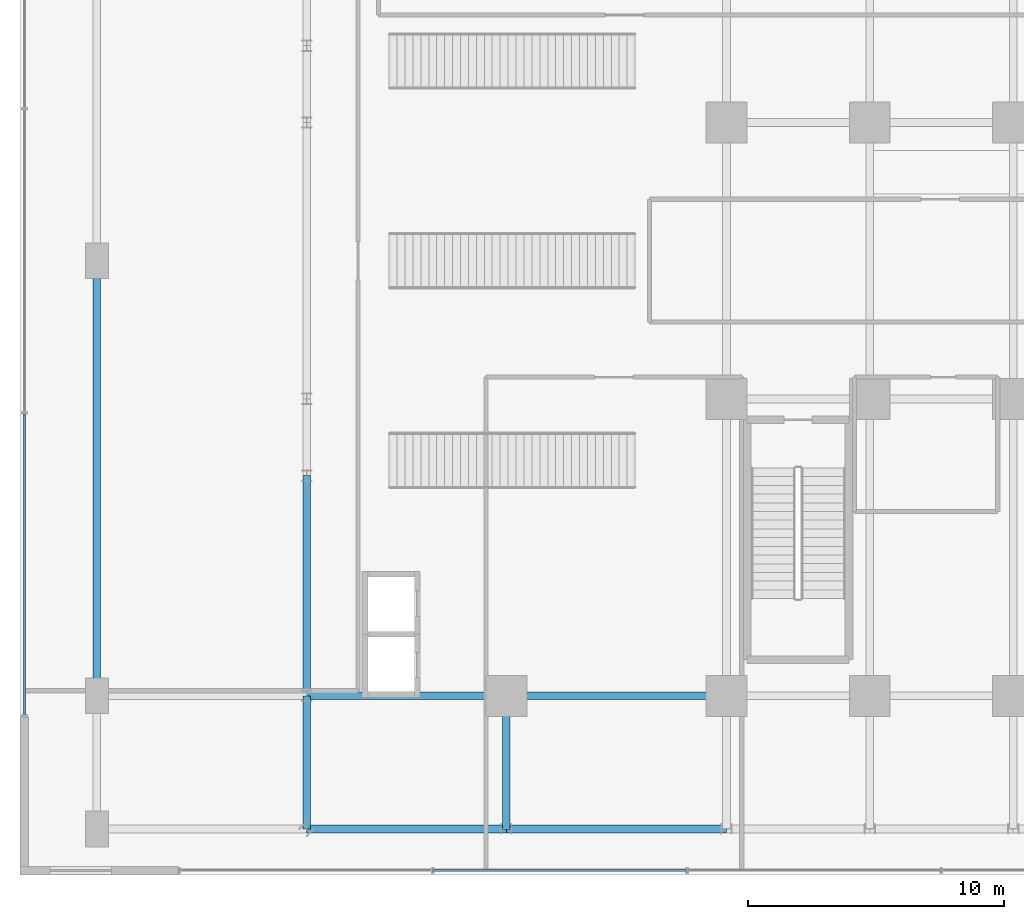
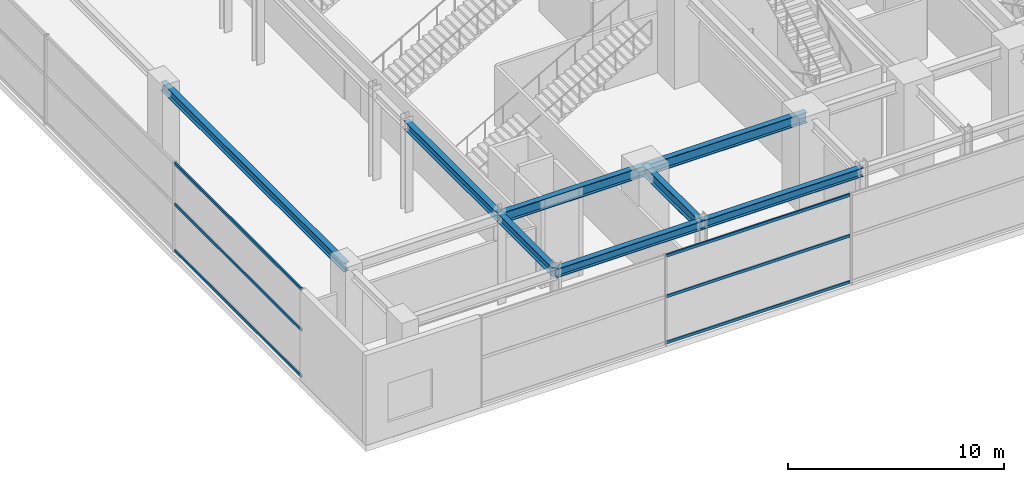
# One storey, part 5 of 34: 8 beams, 6 members, 2 elements without a shape of their own.
"""IFC4 building model written with IfcOpenShell, lengths in metres."""

from ifc_helpers import new_model, si_unit, direction, frame, origin, origin_2d, place, context, subcontext, project, spatial, hollow_rectangle, i_section, extrude, source, transform, mapped, material, material_profile, profile_set, type_object, element, aggregate, save


model = new_model("IFC4")

# Units and contexts
model_context = context("Model", 3, precision=1e-05, world=origin(), true_north=direction((0.0, 1.0)))
body_context = subcontext(model_context, "Body", "Model", "MODEL_VIEW")
ifc_project = project(units=[si_unit("LENGTHUNIT", "METRE"), si_unit("AREAUNIT", "SQUARE_METRE"), si_unit("VOLUMEUNIT", "CUBIC_METRE"), si_unit("PLANEANGLEUNIT", "RADIAN"), si_unit("MASSUNIT", "GRAM", prefix="KILO")], contexts=[model_context])

# Site, building, storey
site_placement = place(None, origin())
site = spatial("IfcSite", under=ifc_project, at=site_placement, CompositionType="ELEMENT")
building_placement = place(site_placement, origin())
building = spatial("IfcBuilding", under=site, at=building_placement, Name="Nahalor Promenade Grand Hotel", CompositionType="ELEMENT")
storey_placement = place(building_placement, frame((0.0, 0.0, 16.199951171875)))
storey = spatial("IfcBuildingStorey", under=building, at=storey_placement, Name="L03", CompositionType="ELEMENT", Elevation=16.199951171875)

# Beams
ifc_material_1 = material(Name="Steel S355JR", Category="steel")
ifc_material_profile_1 = material_profile(ifc_material_1, i_section(OverallWidth=0.3, OverallDepth=0.6, WebThickness=0.0155, FlangeThickness=0.03, at=origin_2d()), Name="HEB 600")
ifc_profile_set_1 = profile_set([ifc_material_profile_1], Name="Steel S355JR")
beam_type_1 = type_object("IfcBeamType", Name="Beam-Girder-HEB600", PredefinedType="BEAM", material=ifc_profile_set_1)
shared_shape_1 = source(origin(), body_context, "Body", "SweptSolid", [
    extrude(i_section(OverallWidth=0.3, OverallDepth=0.6, WebThickness=0.0155, FlangeThickness=0.03, at=origin_2d()), origin(), (0.0, 0.0, 1.0), 7.800048828125),
])
beam_1_placement = place(storey_placement, frame((-24.800048828125, -17.0, 4.780029296875), z_axis=(1.0, 0.0, 0.0), x_axis=(0.0, 1.0, 0.0)))
element("IfcBeam", 1, at=beam_1_placement, inside=storey, type_object=beam_type_1, Name="BM-L03-GX-0-1", PredefinedType="BEAM", context=body_context, shape_type="MappedRepresentation", body=[
    mapped(shared_shape_1, transform((0.0, 0.0, 0.0), scale=1.0)),
])
shared_shape_2 = source(origin(), body_context, "Body", "SweptSolid", [
    extrude(i_section(OverallWidth=0.3, OverallDepth=0.6, WebThickness=0.0155, FlangeThickness=0.03, at=origin_2d()), origin(), (0.0, 0.0, 1.0), 8.60009765625),
])
beam_2_placement = place(storey_placement, frame((-17.0, -17.0, 4.780029296875), z_axis=(1.0, 0.0, 0.0), x_axis=(0.0, 1.0, 0.0)))
element("IfcBeam", 2, at=beam_2_placement, inside=storey, type_object=beam_type_1, Name="BM-L03-GX-0-2", PredefinedType="BEAM", context=body_context, shape_type="MappedRepresentation", body=[
    mapped(shared_shape_2, transform((0.0, 0.0, 0.0), scale=1.0)),
])
shared_shape_3 = source(origin(), body_context, "Body", "SweptSolid", [
    extrude(i_section(OverallWidth=0.3, OverallDepth=0.6, WebThickness=0.0155, FlangeThickness=0.03, at=origin_2d()), origin(), (0.0, 0.0, 1.0), 5.199951171875),
])
beam_3_placement = place(storey_placement, frame((-17.0, -22.199951171875, 4.780029296875), z_axis=(0.0, 1.0, 0.0), x_axis=(-1.0, 0.0, 0.0)))
element("IfcBeam", 3, at=beam_3_placement, inside=storey, type_object=beam_type_1, Name="BM-L03-GY-0-0", PredefinedType="BEAM", context=body_context, shape_type="MappedRepresentation", body=[
    mapped(shared_shape_3, transform((0.0, 0.0, 0.0), scale=1.0)),
])
ifc_material_profile_2 = material_profile(ifc_material_1, i_section(OverallWidth=0.3, OverallDepth=0.5, WebThickness=0.0145, FlangeThickness=0.028, at=origin_2d()), Name="HEB 500")
ifc_profile_set_2 = profile_set([ifc_material_profile_2], Name="Steel S355JR")
beam_type_2 = type_object("IfcBeamType", Name="Beam-Spandrel-HEB500", PredefinedType="SPANDREL", material=ifc_profile_set_2)
shared_shape_4 = source(origin(), body_context, "Body", "SweptSolid", [
    extrude(i_section(OverallWidth=0.3, OverallDepth=0.5, WebThickness=0.0145, FlangeThickness=0.028, at=origin_2d()), origin(), (0.0, 0.0, 1.0), 8.60009765625),
])
for number, where, z_axis, x_axis, name in (
    (4, (-17.0, -22.199951171875, 4.830078125), (1.0, 0.0, 0.0), (0.0, 1.0, 0.0), "BM-L03-SP-S-0"),
    (5, (-24.800048828125, -17.0, 4.830078125), (0.0, 1.0, 0.0), (-1.0, 0.0, 0.0), "BM-L03-SP-W-0"),
):
    element("IfcBeam", number, at=place(storey_placement, frame(where, z_axis=z_axis, x_axis=x_axis)), inside=storey, type_object=beam_type_2, Name=name, PredefinedType="SPANDREL", context=body_context, shape_type="MappedRepresentation", body=[
        mapped(shared_shape_4, transform((0.0, 0.0, 0.0), scale=1.0)),
    ])
shared_shape_5 = source(origin(), body_context, "Body", "SweptSolid", [
    extrude(i_section(OverallWidth=0.3, OverallDepth=0.5, WebThickness=0.0145, FlangeThickness=0.028, at=origin_2d()), origin(), (0.0, 0.0, 1.0), 7.800048828125),
])
beam_4_placement = place(storey_placement, frame((-17.0, -22.199951171875, 4.830078125), z_axis=(-1.0, 0.0, 0.0), x_axis=(0.0, -1.0, 0.0)))
element("IfcBeam", 6, at=beam_4_placement, inside=storey, type_object=beam_type_2, Name="BM-L03-SPC-SW-1", PredefinedType="SPANDREL", context=body_context, shape_type="MappedRepresentation", body=[
    mapped(shared_shape_5, transform((0.0, 0.0, 0.0), scale=1.0)),
])
shared_shape_6 = source(origin(), body_context, "Body", "SweptSolid", [
    extrude(i_section(OverallWidth=0.3, OverallDepth=0.5, WebThickness=0.0145, FlangeThickness=0.028, at=origin_2d()), origin(), (0.0, 0.0, 1.0), 5.199951171875),
])
beam_5_placement = place(storey_placement, frame((-24.800048828125, -22.199951171875, 4.830078125), z_axis=(0.0, 1.0, 0.0), x_axis=(-1.0, 0.0, 0.0)))
element("IfcBeam", 7, at=beam_5_placement, inside=storey, type_object=beam_type_2, Name="BM-L03-SPC-SW-2", PredefinedType="SPANDREL", context=body_context, shape_type="MappedRepresentation", body=[
    mapped(shared_shape_6, transform((0.0, 0.0, 0.0), scale=1.0)),
])
shared_shape_7 = source(origin(), body_context, "Body", "SweptSolid", [
    extrude(i_section(OverallWidth=0.3, OverallDepth=0.5, WebThickness=0.0145, FlangeThickness=0.028, at=origin_2d()), origin(), (0.0, 0.0, 1.0), 17.0),
])
beam_6_placement = place(storey_placement, frame((-33.0, -17.0, 4.830078125), z_axis=(0.0, 1.0, 0.0), x_axis=(-1.0, 0.0, 0.0)))
element("IfcBeam", 8, at=beam_6_placement, inside=storey, type_object=beam_type_2, Name="BM-L03-PW-1", PredefinedType="SPANDREL", context=body_context, shape_type="MappedRepresentation", body=[
    mapped(shared_shape_7, transform((0.0, 0.0, 0.0), scale=1.0)),
])

# Curtain wall, members
ifc_material_2 = material(Name="Anodised Bronze Aluminium EN AW-6063 T6", Category="aluminium")
curtain_wall_type = type_object("IfcCurtainWallType", Name="CW1 Waterfront Podium Bronze Arcade Curtain Wall", PredefinedType="USERDEFINED", material=ifc_material_2)
curtain_wall_1_placement = place(storey_placement, origin())
curtain_wall_1 = element("IfcCurtainWall", 9, at=curtain_wall_1_placement, inside=storey, type_object=curtain_wall_type, Name="L03 Curtain Wall CW-L03-W", ObjectType="UNITISED_CURTAIN_WALL", PredefinedType="USERDEFINED")
ifc_material_profile_3 = material_profile(ifc_material_2, hollow_rectangle(XDim=0.08, YDim=0.16, WallThickness=0.004, at=origin_2d()), Name="CWT 80x160x4")
ifc_profile_set_3 = profile_set([ifc_material_profile_3], Name="Anodised Bronze Aluminium EN AW-6063 T6")
member_type = type_object("IfcMemberType", Name="CWT1 Podium Bronze Transom 80x160", PredefinedType="USERDEFINED", material=ifc_profile_set_3)
shared_shape_8 = source(origin(), body_context, "Body", "SweptSolid", [
    extrude(hollow_rectangle(XDim=0.08, YDim=0.16, WallThickness=0.004, at=origin_2d()), origin(), (0.0, 0.0, 1.0), 11.760009765625),
])
member_1_placement = place(storey_placement, frame((-35.820068359375, -17.739990234375, 0.080078125), z_axis=(0.0, 1.0, 0.0), x_axis=(-1.0, 0.0, 0.0)))
member_1 = element("IfcMember", 10, at=member_1_placement, type_object=member_type, Name="CW-L03-W Transom 0-0", ObjectType="TRANSOM", PredefinedType="USERDEFINED", context=body_context, shape_type="MappedRepresentation", body=[
    mapped(shared_shape_8, transform((0.0, 0.0, 0.0), scale=1.0)),
])
member_2_placement = place(storey_placement, frame((-35.820068359375, -17.739990234375, 2.699951171875), z_axis=(0.0, 1.0, 0.0), x_axis=(-1.0, 0.0, 0.0)))
member_2 = element("IfcMember", 11, at=member_2_placement, type_object=member_type, Name="CW-L03-W Transom 0-1", ObjectType="TRANSOM", PredefinedType="USERDEFINED", context=body_context, shape_type="MappedRepresentation", body=[
    mapped(shared_shape_8, transform((0.0, 0.0, 0.0), scale=1.0)),
])
member_3_placement = place(storey_placement, frame((-35.820068359375, -17.739990234375, 5.0), z_axis=(0.0, 1.0, 0.0), x_axis=(-1.0, 0.0, 0.0)))
member_3 = element("IfcMember", 12, at=member_3_placement, type_object=member_type, Name="CW-L03-W Transom 0-2", ObjectType="TRANSOM", PredefinedType="USERDEFINED", context=body_context, shape_type="MappedRepresentation", body=[
    mapped(shared_shape_8, transform((0.0, 0.0, 0.0), scale=1.0)),
])
aggregate(curtain_wall_1, [member_1, member_2, member_3])

curtain_wall_2_placement = place(storey_placement, origin())
curtain_wall_2 = element("IfcCurtainWall", 13, at=curtain_wall_2_placement, inside=storey, type_object=curtain_wall_type, Name="L03 Curtain Wall CW-L03-S", ObjectType="UNITISED_CURTAIN_WALL", PredefinedType="USERDEFINED")
shared_shape_9 = source(origin(), body_context, "Body", "SweptSolid", [
    extrude(hollow_rectangle(XDim=0.08, YDim=0.16, WallThickness=0.004, at=origin_2d()), origin(), (0.0, 0.0, 1.0), 9.860107421875),
])
member_4_placement = place(storey_placement, frame((-19.840087890625, -23.820068359375, 0.080078125), z_axis=(1.0, 0.0, 0.0), x_axis=(0.0, 1.0, 0.0)))
member_4 = element("IfcMember", 14, at=member_4_placement, type_object=member_type, Name="CW-L03-S Transom 1-0", ObjectType="TRANSOM", PredefinedType="USERDEFINED", context=body_context, shape_type="MappedRepresentation", body=[
    mapped(shared_shape_9, transform((0.0, 0.0, 0.0), scale=1.0)),
])
member_5_placement = place(storey_placement, frame((-19.840087890625, -23.820068359375, 2.699951171875), z_axis=(1.0, 0.0, 0.0), x_axis=(0.0, 1.0, 0.0)))
member_5 = element("IfcMember", 15, at=member_5_placement, type_object=member_type, Name="CW-L03-S Transom 1-1", ObjectType="TRANSOM", PredefinedType="USERDEFINED", context=body_context, shape_type="MappedRepresentation", body=[
    mapped(shared_shape_9, transform((0.0, 0.0, 0.0), scale=1.0)),
])
member_6_placement = place(storey_placement, frame((-19.840087890625, -23.820068359375, 5.0), z_axis=(1.0, 0.0, 0.0), x_axis=(0.0, 1.0, 0.0)))
member_6 = element("IfcMember", 16, at=member_6_placement, type_object=member_type, Name="CW-L03-S Transom 1-2", ObjectType="TRANSOM", PredefinedType="USERDEFINED", context=body_context, shape_type="MappedRepresentation", body=[
    mapped(shared_shape_9, transform((0.0, 0.0, 0.0), scale=1.0)),
])
aggregate(curtain_wall_2, [member_4, member_5, member_6])

save(model, "model.ifc")
